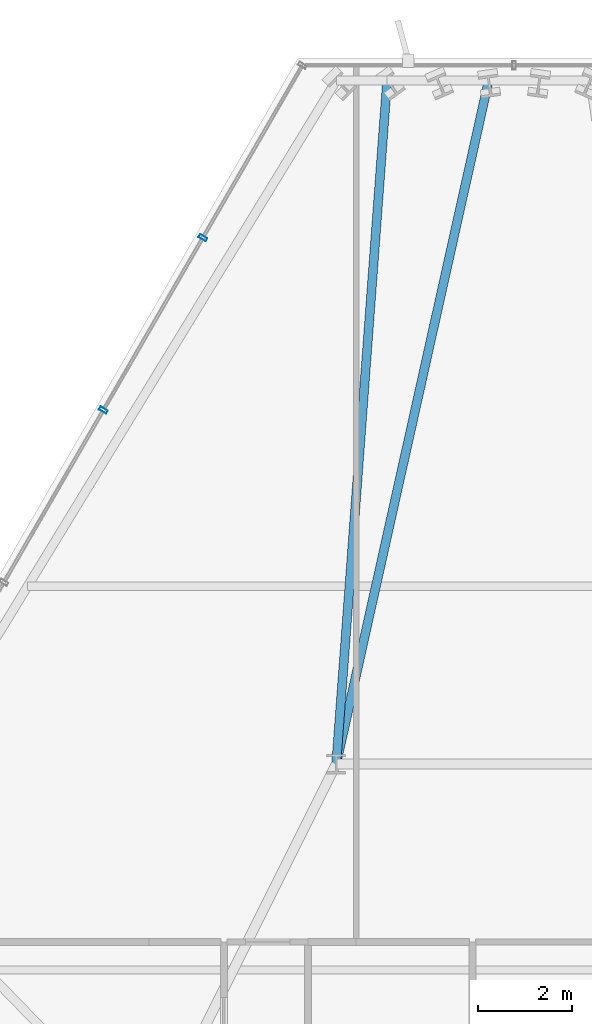
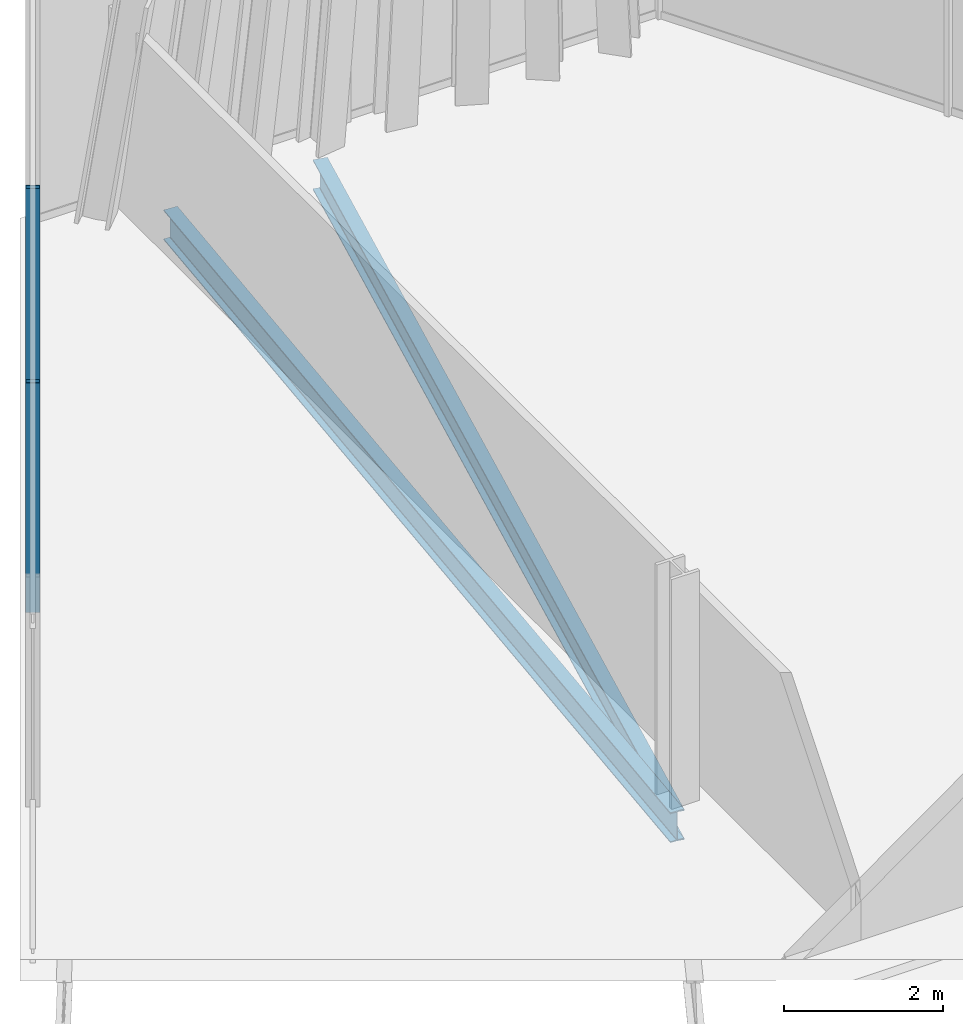
# One storey, part 21 of 34: 2 beams, 2 members, 1 element without a shape of its own.
"""IFC4 building model written with IfcOpenShell, lengths in metres."""

import ifcopenshell
import ifcopenshell.guid

model = None  # the IFC model being written
_history = None  # IfcOwnerHistory: only IFC2X3 demands one
_inside = {}  # id of a spatial element -> (the spatial element, [elements in it])
_under = {}  # id of a project, library or spatial element -> (it, [spatial elements below it])
_declared = {}  # id of a project -> (the project, [libraries it declares])
_typed = {}  # id of a type object -> (the type object, [elements of that type])
_made_of = {}  # id of a material, layer set ... -> (it, [elements and type objects made of it])


def new_model(schema):
    """Start an empty IFC model of exactly this schema.

    Asked for "IFC4X3", IfcOpenShell would pick the latest addendum, in which some entities
    have other attributes; the version numbers below select the first issue.
    IFC2X3 requires an IfcOwnerHistory on every rooted entity: one is made here for all.
    """
    global model, _history
    if schema == "IFC4X3":
        model = ifcopenshell.file(schema_version=(4, 3, 0, 0))
    else:
        model = ifcopenshell.file(schema=schema)
    _inside.clear()
    _under.clear()
    _declared.clear()
    _typed.clear()
    _made_of.clear()
    _history = None
    if model.schema == "IFC2X3":
        org = make("IfcOrganization", Name="unknown")
        user = make(
            "IfcPersonAndOrganization",
            ThePerson=make("IfcPerson", FamilyName="unknown"),
            TheOrganization=org,
        )
        app = make(
            "IfcApplication",
            ApplicationDeveloper=org,
            Version="unknown",
            ApplicationFullName="unknown",
            ApplicationIdentifier="unknown",
        )
        _history = make(
            "IfcOwnerHistory",
            OwningUser=user,
            OwningApplication=app,
            ChangeAction="ADDED",
            CreationDate=0,
        )
    return model


def make(cls, **values):
    """One entity of the class cls with the attributes given. An attribute that is None is left unset."""
    return model.create_entity(
        cls, **{name: value for name, value in values.items() if value is not None}
    )


def rooted(cls, **values):
    """An entity with a GlobalId (a new one), such as an element, a storey or a relation."""
    return make(cls, GlobalId=ifcopenshell.guid.new(), OwnerHistory=_history, **values)


def si_unit(unit_type, name, prefix=None):
    """IfcSIUnit, for example si_unit("LENGTHUNIT", "METRE", prefix="MILLI")."""
    return make("IfcSIUnit", UnitType=unit_type, Prefix=prefix, Name=name)


def assignment(units):
    """IfcUnitAssignment: the units of a project."""
    return None if units is None else make("IfcUnitAssignment", Units=units)


def point(xyz):
    """IfcCartesianPoint."""
    return None if xyz is None else make("IfcCartesianPoint", Coordinates=xyz)


def direction(xyz):
    """IfcDirection."""
    return None if xyz is None else make("IfcDirection", DirectionRatios=xyz)


def frame(location, z_axis=None, x_axis=None):
    """IfcAxis2Placement3D, a coordinate frame: its origin and axes. An axis left out is left unset."""
    return make(
        "IfcAxis2Placement3D",
        Location=point(location),
        Axis=direction(z_axis),
        RefDirection=direction(x_axis),
    )


def frame_2d(location, x_axis=None):
    """IfcAxis2Placement2D, a coordinate frame in the plane: its origin and x axis."""
    return make(
        "IfcAxis2Placement2D", Location=point(location), RefDirection=direction(x_axis)
    )


def origin():
    """The frame at (0, 0, 0) with its axes left unset."""
    return frame((0.0, 0.0, 0.0))


def origin_2d():
    """The frame at (0, 0) in the plane with its x axis left unset."""
    return frame_2d((0.0, 0.0))


def place(relative_to, where):
    """IfcLocalPlacement: puts the frame where relative to a parent placement (None: the world)."""
    return make(
        "IfcLocalPlacement", PlacementRelTo=relative_to, RelativePlacement=where
    )


def context(
    kind, dimensions, precision=None, world=None, true_north=None, identifier=None
):
    """IfcGeometricRepresentationContext, for example the 3D "Model" context."""
    return make(
        "IfcGeometricRepresentationContext",
        ContextIdentifier=identifier,
        ContextType=kind,
        CoordinateSpaceDimension=dimensions,
        Precision=precision,
        WorldCoordinateSystem=world,
        TrueNorth=true_north,
    )


def subcontext(parent, identifier, kind, view, scale=None):
    """IfcGeometricRepresentationSubContext, for example "Body" below "Model"."""
    return make(
        "IfcGeometricRepresentationSubContext",
        ContextIdentifier=identifier,
        ContextType=kind,
        ParentContext=parent,
        TargetScale=scale,
        TargetView=view,
    )


def project(units=None, contexts=None):
    """IfcProject with its units and contexts."""
    return rooted(
        "IfcProject",
        Name="project",
        RepresentationContexts=contexts,
        UnitsInContext=assignment(units),
    )


def spatial(cls, under=None, at=None, **own):
    """A site, building, storey or space (cls), placed at a placement, below another one or the project."""
    s = rooted(cls, ObjectPlacement=at, **own)
    if under is not None:
        _under.setdefault(under.id(), (under, []))[1].append(s)
    return s


def profile(cls, at=None, kind="AREA", **sizes):
    """A parametric profile (cls). Its sizes go by their IFC names, for example OverallWidth=200.0."""
    return make(cls, ProfileType=kind, Position=at, **sizes)


def hollow_rectangle(**sizes):
    """IfcRectangleHollowProfileDef."""
    return profile("IfcRectangleHollowProfileDef", **sizes)


def i_section(**sizes):
    """IfcIShapeProfileDef."""
    return profile("IfcIShapeProfileDef", **sizes)


def extrude(swept, where, along, depth):
    """IfcExtrudedAreaSolid: the profile swept, set in the frame where, extruded along a direction by depth."""
    return make(
        "IfcExtrudedAreaSolid",
        SweptArea=swept,
        Position=where,
        ExtrudedDirection=direction(along),
        Depth=depth,
    )


def shape(context_of_items, identifier, shape_type, items):
    """IfcShapeRepresentation: the items that make up one representation, for example the "Body"."""
    return make(
        "IfcShapeRepresentation",
        ContextOfItems=context_of_items,
        RepresentationIdentifier=identifier,
        RepresentationType=shape_type,
        Items=items,
    )


def material(Name=None, Category=None):
    """IfcMaterial."""
    return make("IfcMaterial", Name=Name, Category=Category)


def layer(
    of_material, thickness, ventilated=None, Name=None, Category=None, Priority=None
):
    """IfcMaterialLayer: one layer of a wall or slab, of a material (None: an air gap)."""
    return make(
        "IfcMaterialLayer",
        Material=of_material,
        LayerThickness=thickness,
        IsVentilated=ventilated,
        Name=Name,
        Category=Category,
        Priority=Priority,
    )


def layer_set(layers, Name=None):
    """IfcMaterialLayerSet."""
    return make("IfcMaterialLayerSet", MaterialLayers=layers, LayerSetName=Name)


def material_profile(
    of_material, cross_section, Name=None, Category=None, Priority=None
):
    """IfcMaterialProfile: a cross section and its material."""
    return make(
        "IfcMaterialProfile",
        Name=Name,
        Material=of_material,
        Profile=cross_section,
        Priority=Priority,
        Category=Category,
    )


def profile_set(profiles, Name=None, composite=None):
    """IfcMaterialProfileSet."""
    return make(
        "IfcMaterialProfileSet",
        Name=Name,
        MaterialProfiles=profiles,
        CompositeProfile=composite,
    )


def made_of(thing, what):
    """Note that an element or type object is made of a material, layer set ...; save() writes the relation."""
    if what is not None:
        _made_of.setdefault(what.id(), (what, []))[1].append(thing)
    return thing


def type_object(cls, material=None, **own):
    """A type object (cls), such as IfcWallType, which elements share."""
    return made_of(rooted(cls, **own), material)


def element(
    cls,
    number,
    at=None,
    inside=None,
    cuts=None,
    type_object=None,
    material=None,
    context=None,
    identifier="Body",
    shape_type=None,
    held_by="IfcProductDefinitionShape",
    body=None,
    shapes=None,
    **own,
):
    """One element of the class cls, such as IfcWall. Its Tag is "e" and its number.

    at: its placement. inside: the storey or other place that contains it. cuts: it is an
    opening in that element (IfcRelVoidsElement). A single representation is given by context,
    identifier, shape_type and body (its items); several are given by shapes. held_by: the class
    of the entity that holds the representations. save() writes the other relations.
    """
    e = rooted(cls, Tag="e%d" % number, ObjectPlacement=at, **own)
    if body is not None:
        shapes = [shape(context, identifier, shape_type, body)]
    if shapes is not None:
        e.Representation = make(held_by, Representations=shapes)
    if inside is not None:
        _inside.setdefault(inside.id(), (inside, []))[1].append(e)
    if cuts is not None:
        rooted(
            "IfcRelVoidsElement", RelatingBuildingElement=cuts, RelatedOpeningElement=e
        )
    if type_object is not None:
        _typed.setdefault(type_object.id(), (type_object, []))[1].append(e)
    return made_of(e, material)


def aggregate(whole, parts):
    """IfcRelAggregates: a whole, such as a stair, and the parts it consists of."""
    return rooted("IfcRelAggregates", RelatingObject=whole, RelatedObjects=parts)


def save(model, path):
    """Write the relations noted so far, then the file.

    IfcRelAggregates (storeys below a building ...), IfcRelContainedInSpatialStructure (elements
    in a storey), IfcRelDefinesByType, IfcRelAssociatesMaterial and IfcRelDeclares: one each for
    every whole, place, type object, material and project.
    """
    for whole, parts in _under.values():
        aggregate(whole, parts)
    for where, things in _inside.values():
        rooted(
            "IfcRelContainedInSpatialStructure",
            RelatedElements=things,
            RelatingStructure=where,
        )
    for kind, things in _typed.values():
        rooted("IfcRelDefinesByType", RelatedObjects=things, RelatingType=kind)
    for what, things in _made_of.values():
        rooted("IfcRelAssociatesMaterial", RelatedObjects=things, RelatingMaterial=what)
    for by, libraries in _declared.values():
        rooted("IfcRelDeclares", RelatingContext=by, RelatedDefinitions=libraries)
    model.write(path)


model = new_model("IFC4")

# Units and contexts
model_context = context("Model", 3, precision=1e-05, world=origin(), true_north=direction((0.0, 1.0)))
body_context = subcontext(model_context, "Body", "Model", "MODEL_VIEW")
ifc_project = project(units=[si_unit("LENGTHUNIT", "METRE"), si_unit("AREAUNIT", "SQUARE_METRE"), si_unit("VOLUMEUNIT", "CUBIC_METRE"), si_unit("PLANEANGLEUNIT", "RADIAN"), si_unit("MASSUNIT", "GRAM", prefix="KILO")], contexts=[model_context])

# Site, building, storey
site_placement = place(None, origin())
site = spatial("IfcSite", under=ifc_project, at=site_placement, CompositionType="ELEMENT")
building_placement = place(site_placement, origin())
building = spatial("IfcBuilding", under=site, at=building_placement, Name="Ndaravel Arena Tower", CompositionType="ELEMENT")
storey_placement = place(building_placement, frame((0.0, 0.0, 199.199951171875)))
storey = spatial("IfcBuildingStorey", under=building, at=storey_placement, Name="L48", CompositionType="ELEMENT", Elevation=199.199951171875)

# Beams
ifc_material_1 = material(Name="Steel S355", Category="steel")
ifc_material_profile_1 = material_profile(ifc_material_1, i_section(OverallWidth=0.19140625, OverallDepth=0.4599609375, WebThickness=0.010009765625, FlangeThickness=0.01611328125, FilletRadius=0.01025390625, at=origin_2d()), Name="UB 457x191x82")
ifc_profile_set_1 = profile_set([ifc_material_profile_1], Name="Steel S355")
beam_type = type_object("IfcBeamType", Name="BM-GIRD-UB457", PredefinedType="BEAM", material=ifc_profile_set_1)
beam_1_placement = place(storey_placement, frame((41.457763671875, 45.805908203125, -0.449951171875), z_axis=(-0.21769735255, -0.976016322964, 0.0), x_axis=(0.976016322964, -0.21769735255, 0.0)))
element("IfcBeam", 1, at=beam_1_placement, inside=storey, type_object=beam_type, Name="L48 Radial Floor Girder FG-15", PredefinedType="BEAM", context=body_context, shape_type="SweptSolid", body=[
    extrude(i_section(OverallWidth=0.19140625, OverallDepth=0.4599609375, WebThickness=0.010009765625, FlangeThickness=0.01611328125, FilletRadius=0.01025390625, at=origin_2d()), origin(), (0.0, 0.0, 1.0), 14.96484375),
])
beam_2_placement = place(storey_placement, frame((39.28857421875, 45.805908203125, -0.449951171875), z_axis=(-0.074326650263, -0.997233949011, 0.0), x_axis=(0.997233949011, -0.074326650263, 0.0)))
element("IfcBeam", 2, at=beam_2_placement, inside=storey, type_object=beam_type, Name="L48 Radial Floor Girder FG-17", PredefinedType="BEAM", context=body_context, shape_type="SweptSolid", body=[
    extrude(i_section(OverallWidth=0.19140625, OverallDepth=0.4599609375, WebThickness=0.010009765625, FlangeThickness=0.01611328125, FilletRadius=0.01025390625, at=origin_2d()), origin(), (0.0, 0.0, 1.0), 14.646484375),
])

# Curtain wall, members
ifc_material_2 = material(Name="Aluminium", Category="aluminium")
ifc_layer = layer(ifc_material_2, 0.179931640625)
ifc_layer_set = layer_set([ifc_layer], Name="Aluminium")
curtain_wall_type = type_object("IfcCurtainWallType", Name="CW-SYS-03", PredefinedType="NOTDEFINED", material=ifc_layer_set)
curtain_wall_placement = place(storey_placement, origin())
curtain_wall = element("IfcCurtainWall", 3, at=curtain_wall_placement, inside=storey, type_object=curtain_wall_type, Name="L48 Faceted Crystal Curtain Wall CW-L48-E05", PredefinedType="NOTDEFINED")
ifc_material_3 = material(Name="Aluminium", Category="aluminium")
ifc_material_profile_2 = material_profile(ifc_material_3, hollow_rectangle(XDim=0.074951171875, YDim=0.179931640625, WallThickness=0.00390625, at=origin_2d()), Name="CW MULLION 75x180x4")
ifc_profile_set_2 = profile_set([ifc_material_profile_2], Name="Aluminium")
member_type = type_object("IfcMemberType", Name="MEM-CW-MUL180", PredefinedType="MULLION", material=ifc_profile_set_2)
member_1_placement = place(storey_placement, frame((35.3515625, 42.444580078125, 0.0), z_axis=(0.0, 0.0, 1.0), x_axis=(-0.5, -0.866025403784, 0.0)))
member_1 = element("IfcMember", 4, at=member_1_placement, type_object=member_type, Name="CW-L48-E05 Mullion 01", PredefinedType="MULLION", context=body_context, shape_type="SweptSolid", body=[
    extrude(hollow_rectangle(XDim=0.074951171875, YDim=0.179931640625, WallThickness=0.00390625, at=origin_2d()), origin(), (0.0, 0.0, 1.0), 3.52001953125),
])
member_2_placement = place(storey_placement, frame((33.226318359375, 38.763427734375, 0.0), z_axis=(0.0, 0.0, 1.0), x_axis=(-0.5, -0.866025403784, 0.0)))
member_2 = element("IfcMember", 5, at=member_2_placement, type_object=member_type, Name="CW-L48-E05 Mullion 02", PredefinedType="MULLION", context=body_context, shape_type="SweptSolid", body=[
    extrude(hollow_rectangle(XDim=0.074951171875, YDim=0.179931640625, WallThickness=0.00390625, at=origin_2d()), origin(), (0.0, 0.0, 1.0), 3.52001953125),
])
aggregate(curtain_wall, [member_1, member_2])

save(model, "model.ifc")
